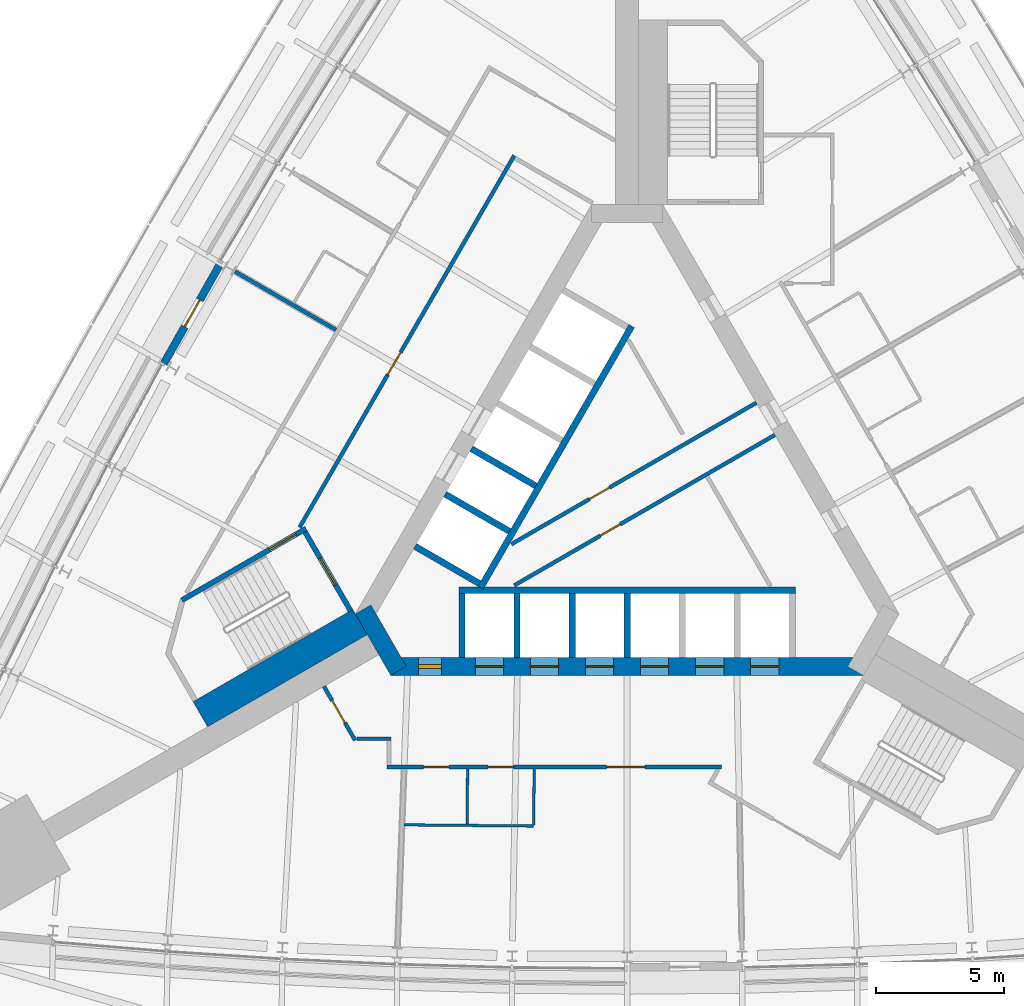
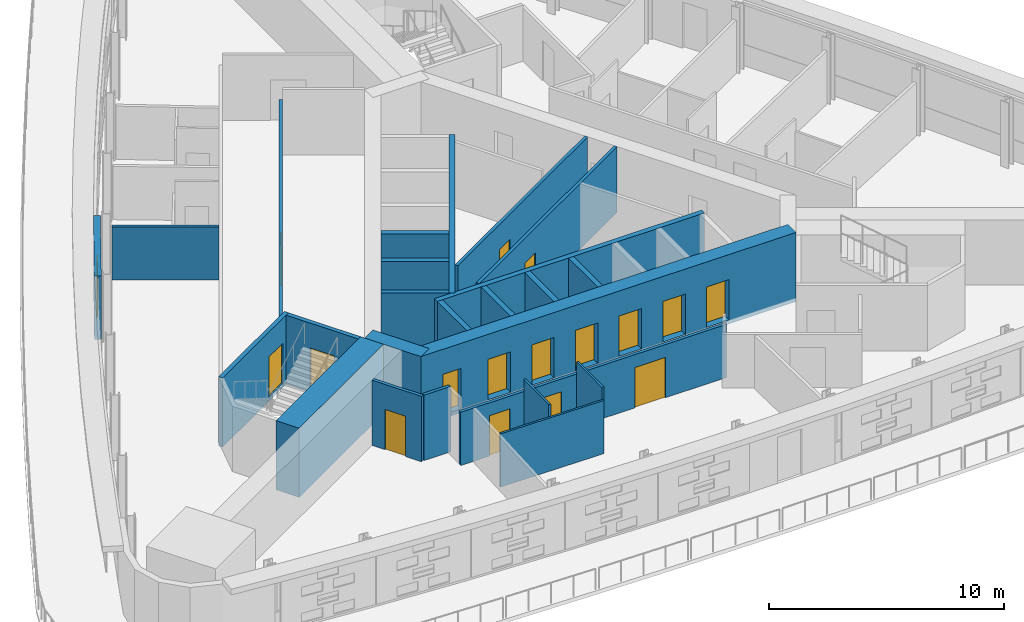
# One storey, part 7 of 14: 25 walls, 17 doors, 17 openings.
"""IFC4 building model written with IfcOpenShell, lengths in metres."""

from ifc_helpers import new_model, si_unit, direction, frame, frame_2d, origin, place, context, subcontext, project, spatial, rectangle, extrude, material, layer, layer_set, type_object, element, fill, save


model = new_model("IFC4")

# Units and contexts
model_context = context("Model", 3, precision=1e-05, world=origin(), true_north=direction((0.0, 1.0)))
body_context = subcontext(model_context, "Body", "Model", "MODEL_VIEW")
ifc_project = project(units=[si_unit("LENGTHUNIT", "METRE"), si_unit("AREAUNIT", "SQUARE_METRE"), si_unit("VOLUMEUNIT", "CUBIC_METRE"), si_unit("PLANEANGLEUNIT", "RADIAN"), si_unit("MASSUNIT", "GRAM", prefix="KILO")], contexts=[model_context])

# Site, building, storey
site_placement = place(None, origin())
site = spatial("IfcSite", under=ifc_project, at=site_placement, CompositionType="ELEMENT")
building_placement = place(site_placement, origin())
building = spatial("IfcBuilding", under=site, at=building_placement, Name="Noor Cloister Tower", CompositionType="ELEMENT")
storey_placement = place(building_placement, frame((0.0, 0.0, 24.0)))
storey = spatial("IfcBuildingStorey", under=building, at=storey_placement, Name="L05", CompositionType="ELEMENT", Elevation=24.0)

# Wall, opening, door
ifc_material_1 = material(Name="Concrete C30/37", Category="concrete")
ifc_layer_1 = layer(ifc_material_1, 0.14990234375)
ifc_layer_set_1 = layer_set([ifc_layer_1], Name="Core partition 150 C30/37")
wall_type_1 = type_object("IfcWallType", Name="Core partition 150 C30/37", PredefinedType="PARTITIONING", material=ifc_layer_set_1)
wall_1_placement = place(storey_placement, frame((-4.522705078125, -1.80712890625, 0.0), z_axis=(0.0, 0.0, 1.0), x_axis=(0.866030300338, 0.499991518824, 0.0)))
wall_1 = element("IfcWall", 1, at=wall_1_placement, inside=storey, type_object=wall_type_1, Name="Core room partition L05 1", PredefinedType="PARTITIONING", context=body_context, shape_type="SweptSolid", body=[
    extrude(rectangle(XDim=11.048583984375, YDim=0.14990234375, at=frame_2d((5.5244140625, 0.0))), origin(), (0.0, 0.0, 1.0), 3.39990234375),
])
opening_1_placement = place(wall_1_placement, frame((3.525390625, 0.0, 0.0)))
opening_1 = element("IfcOpeningElement", 2, at=opening_1_placement, cuts=wall_1, Name="Opening L05-906", PredefinedType="OPENING", context=body_context, shape_type="SweptSolid", body=[
    extrude(rectangle(XDim=0.89990234375, YDim=2.10009765625, at=frame_2d((0.449951171875, 1.050048828125))), frame((0.0, 0.0849609375, 0.0), z_axis=(0.0, -1.0, 0.0), x_axis=(1.0, 0.0, 0.0)), (0.0, 0.0, 1.0), 0.169921875),
])
ifc_material_2 = material(Name="Steel", Category="steel")
door_type_1 = type_object("IfcDoorType", Name="Core door 900 x 2100 FD60", OperationType="SINGLE_SWING_LEFT", PredefinedType="DOOR", material=ifc_material_2)
door_1_placement = place(opening_1_placement, origin())
door_1 = element("IfcDoor", 3, at=door_1_placement, inside=storey, type_object=door_type_1, Name="Core door 6 L05", OperationType="SINGLE_SWING_RIGHT", OverallHeight=2.10009765625, OverallWidth=0.89990234375, PredefinedType="DOOR", context=body_context, shape_type="SweptSolid", body=[
    extrude(rectangle(XDim=0.89990234375, YDim=2.10009765625, at=frame_2d((0.449951171875, 1.050048828125))), frame((0.0, 0.02490234375, 0.0), z_axis=(0.0, -1.0, 0.0), x_axis=(1.0, 0.0, 0.0)), (0.0, 0.0, 1.0), 0.050048828125),
])
fill(opening_1, door_1)

wall_2_placement = place(storey_placement, frame((-4.404296875, -3.4130859375, 0.0), z_axis=(0.0, 0.0, 1.0), x_axis=(0.866022252853, 0.500005457533, 0.0)))
wall_2 = element("IfcWall", 4, at=wall_2_placement, inside=storey, type_object=wall_type_1, Name="Core room partition L05 2", PredefinedType="PARTITIONING", context=body_context, shape_type="SweptSolid", body=[
    extrude(rectangle(XDim=11.748779296875, YDim=0.14990234375, at=frame_2d((5.87451171875, 0.0))), origin(), (0.0, 0.0, 1.0), 3.39990234375),
])
opening_2_placement = place(wall_2_placement, frame((3.87548828125, 0.0, 0.0)))
opening_2 = element("IfcOpeningElement", 5, at=opening_2_placement, cuts=wall_2, Name="Opening L05-904", PredefinedType="OPENING", context=body_context, shape_type="SweptSolid", body=[
    extrude(rectangle(XDim=0.89990234375, YDim=2.10009765625, at=frame_2d((0.449951171875, 1.050048828125))), frame((0.0, 0.0849609375, 0.0), z_axis=(0.0, -1.0, 0.0), x_axis=(1.0, 0.0, 0.0)), (0.0, 0.0, 1.0), 0.169921875),
])
ifc_material_3 = material(Name="Steel", Category="steel")
door_type_2 = type_object("IfcDoorType", Name="Core door 900 x 2100 FD120", OperationType="SINGLE_SWING_LEFT", PredefinedType="DOOR", material=ifc_material_3)
door_2_placement = place(opening_2_placement, origin())
door_2 = element("IfcDoor", 6, at=door_2_placement, inside=storey, type_object=door_type_2, Name="Core door 4 L05", OperationType="SINGLE_SWING_RIGHT", OverallHeight=2.10009765625, OverallWidth=0.89990234375, PredefinedType="DOOR", context=body_context, shape_type="SweptSolid", body=[
    extrude(rectangle(XDim=0.89990234375, YDim=2.10009765625, at=frame_2d((0.449951171875, 1.050048828125))), frame((0.0, 0.02490234375, 0.0), z_axis=(0.0, -1.0, 0.0), x_axis=(1.0, 0.0, 0.0)), (0.0, 0.0, 1.0), 0.050048828125),
])
fill(opening_2, door_2)

# Wall, openings, doors
ifc_material_4 = material(Name="Concrete C80/95", Category="concrete")
ifc_layer_2 = layer(ifc_material_4, 0.699951171875)
ifc_layer_set_2 = layer_set([ifc_layer_2], Name="Core wall 700 C80/95")
wall_type_2 = type_object("IfcWallType", Name="Core wall 700 C80/95", PredefinedType="SHEAR", material=ifc_layer_set_2)
wall_3_placement = place(storey_placement, frame((-9.228759765625, -6.578125, -0.199951171875), z_axis=(0.0, 0.0, 1.0), x_axis=(1.0, 0.0, 0.0)))
wall_3 = element("IfcWall", 7, at=wall_3_placement, inside=storey, type_object=wall_type_2, Name="Core wall L05 1", PredefinedType="SHEAR", context=body_context, shape_type="SweptSolid", body=[
    extrude(rectangle(XDim=18.45751953125, YDim=0.699951171875, at=frame_2d((9.228759765625, 0.0))), origin(), (0.0, 0.0, 1.0), 3.599853515625),
])
opening_3_placement = place(wall_3_placement, frame((3.3037109375, 0.0, 0.199951171875)))
opening_3 = element("IfcOpeningElement", 8, at=opening_3_placement, cuts=wall_3, Name="Opening L05-LR1", PredefinedType="OPENING", context=body_context, shape_type="SweptSolid", body=[
    extrude(rectangle(XDim=1.10009765625, YDim=2.10009765625, at=frame_2d((0.550048828125, 1.050048828125))), frame((0.0, 0.35986328125, 0.0), z_axis=(0.0, -1.0, 0.0), x_axis=(1.0, 0.0, 0.0)), (0.0, 0.0, 1.0), 0.719970703125),
])
opening_4_placement = place(wall_3_placement, frame((5.45361328125, 0.0, 0.199951171875)))
opening_4 = element("IfcOpeningElement", 9, at=opening_4_placement, cuts=wall_3, Name="Opening L05-LR2", PredefinedType="OPENING", context=body_context, shape_type="SweptSolid", body=[
    extrude(rectangle(XDim=1.10009765625, YDim=2.10009765625, at=frame_2d((0.550048828125, 1.050048828125))), frame((0.0, 0.35986328125, 0.0), z_axis=(0.0, -1.0, 0.0), x_axis=(1.0, 0.0, 0.0)), (0.0, 0.0, 1.0), 0.719970703125),
])
opening_5_placement = place(wall_3_placement, frame((7.603759765625, 0.0, 0.199951171875)))
opening_5 = element("IfcOpeningElement", 10, at=opening_5_placement, cuts=wall_3, Name="Opening L05-LR3", PredefinedType="OPENING", context=body_context, shape_type="SweptSolid", body=[
    extrude(rectangle(XDim=1.10009765625, YDim=2.10009765625, at=frame_2d((0.550048828125, 1.050048828125))), frame((0.0, 0.35986328125, 0.0), z_axis=(0.0, -1.0, 0.0), x_axis=(1.0, 0.0, 0.0)), (0.0, 0.0, 1.0), 0.719970703125),
])
opening_6_placement = place(wall_3_placement, frame((9.753662109375, 0.0, 0.199951171875)))
opening_6 = element("IfcOpeningElement", 11, at=opening_6_placement, cuts=wall_3, Name="Opening L05-LR4", PredefinedType="OPENING", context=body_context, shape_type="SweptSolid", body=[
    extrude(rectangle(XDim=1.10009765625, YDim=2.10009765625, at=frame_2d((0.550048828125, 1.050048828125))), frame((0.0, 0.35986328125, 0.0), z_axis=(0.0, -1.0, 0.0), x_axis=(1.0, 0.0, 0.0)), (0.0, 0.0, 1.0), 0.719970703125),
])
opening_7_placement = place(wall_3_placement, frame((11.90380859375, 0.0, 0.199951171875)))
opening_7 = element("IfcOpeningElement", 12, at=opening_7_placement, cuts=wall_3, Name="Opening L05-LR5", PredefinedType="OPENING", context=body_context, shape_type="SweptSolid", body=[
    extrude(rectangle(XDim=1.10009765625, YDim=2.10009765625, at=frame_2d((0.550048828125, 1.050048828125))), frame((0.0, 0.35986328125, 0.0), z_axis=(0.0, -1.0, 0.0), x_axis=(1.0, 0.0, 0.0)), (0.0, 0.0, 1.0), 0.719970703125),
])
opening_8_placement = place(wall_3_placement, frame((14.0537109375, 0.0, 0.199951171875)))
opening_8 = element("IfcOpeningElement", 13, at=opening_8_placement, cuts=wall_3, Name="Opening L05-LR6", PredefinedType="OPENING", context=body_context, shape_type="SweptSolid", body=[
    extrude(rectangle(XDim=1.10009765625, YDim=2.10009765625, at=frame_2d((0.550048828125, 1.050048828125))), frame((0.0, 0.35986328125, 0.0), z_axis=(0.0, -1.0, 0.0), x_axis=(1.0, 0.0, 0.0)), (0.0, 0.0, 1.0), 0.719970703125),
])
opening_9_placement = place(wall_3_placement, frame((1.078857421875, 0.0, 0.199951171875)))
opening_9 = element("IfcOpeningElement", 14, at=opening_9_placement, cuts=wall_3, Name="Opening L05-905", PredefinedType="OPENING", context=body_context, shape_type="SweptSolid", body=[
    extrude(rectangle(XDim=0.89990234375, YDim=2.10009765625, at=frame_2d((0.449951171875, 1.050048828125))), frame((0.0, 0.35986328125, 0.0), z_axis=(0.0, -1.0, 0.0), x_axis=(1.0, 0.0, 0.0)), (0.0, 0.0, 1.0), 0.719970703125),
])
door_3_placement = place(opening_9_placement, origin())
door_3 = element("IfcDoor", 15, at=door_3_placement, inside=storey, type_object=door_type_2, Name="Core door 5 L05", OperationType="SINGLE_SWING_LEFT", OverallHeight=2.10009765625, OverallWidth=0.89990234375, PredefinedType="DOOR", context=body_context, shape_type="SweptSolid", body=[
    extrude(rectangle(XDim=0.89990234375, YDim=2.10009765625, at=frame_2d((0.449951171875, 1.050048828125))), frame((0.0, 0.074951171875, 0.0), z_axis=(0.0, -1.0, 0.0), x_axis=(1.0, 0.0, 0.0)), (0.0, 0.0, 1.0), 0.14990234375),
])
fill(opening_9, door_3)
ifc_material_5 = material(Name="Stainless steel", Category="steel")
door_type_3 = type_object("IfcDoorType", Name="Lift landing door 1100 x 2100", OperationType="DOUBLE_DOOR_SLIDING", PredefinedType="DOOR", material=ifc_material_5)
door_4_placement = place(opening_3_placement, origin())
door_4 = element("IfcDoor", 16, at=door_4_placement, inside=storey, type_object=door_type_3, Name="Landing door LR1 L05", OperationType="DOUBLE_DOOR_SLIDING", OverallHeight=2.10009765625, OverallWidth=1.10009765625, PredefinedType="DOOR", context=body_context, shape_type="SweptSolid", body=[
    extrude(rectangle(XDim=1.10009765625, YDim=2.10009765625, at=frame_2d((0.550048828125, 1.050048828125))), frame((0.0, 0.02490234375, 0.0), z_axis=(0.0, -1.0, 0.0), x_axis=(1.0, 0.0, 0.0)), (0.0, 0.0, 1.0), 0.050048828125),
])
fill(opening_3, door_4)
door_5_placement = place(opening_4_placement, origin())
door_5 = element("IfcDoor", 17, at=door_5_placement, inside=storey, type_object=door_type_3, Name="Landing door LR2 L05", OperationType="DOUBLE_DOOR_SLIDING", OverallHeight=2.10009765625, OverallWidth=1.10009765625, PredefinedType="DOOR", context=body_context, shape_type="SweptSolid", body=[
    extrude(rectangle(XDim=1.10009765625, YDim=2.10009765625, at=frame_2d((0.550048828125, 1.050048828125))), frame((0.0, 0.02490234375, 0.0), z_axis=(0.0, -1.0, 0.0), x_axis=(1.0, 0.0, 0.0)), (0.0, 0.0, 1.0), 0.050048828125),
])
fill(opening_4, door_5)
door_6_placement = place(opening_5_placement, origin())
door_6 = element("IfcDoor", 18, at=door_6_placement, inside=storey, type_object=door_type_3, Name="Landing door LR3 L05", OperationType="DOUBLE_DOOR_SLIDING", OverallHeight=2.10009765625, OverallWidth=1.10009765625, PredefinedType="DOOR", context=body_context, shape_type="SweptSolid", body=[
    extrude(rectangle(XDim=1.10009765625, YDim=2.10009765625, at=frame_2d((0.550048828125, 1.050048828125))), frame((0.0, 0.02490234375, 0.0), z_axis=(0.0, -1.0, 0.0), x_axis=(1.0, 0.0, 0.0)), (0.0, 0.0, 1.0), 0.050048828125),
])
fill(opening_5, door_6)
door_7_placement = place(opening_6_placement, origin())
door_7 = element("IfcDoor", 19, at=door_7_placement, inside=storey, type_object=door_type_3, Name="Landing door LR4 L05", OperationType="DOUBLE_DOOR_SLIDING", OverallHeight=2.10009765625, OverallWidth=1.10009765625, PredefinedType="DOOR", context=body_context, shape_type="SweptSolid", body=[
    extrude(rectangle(XDim=1.10009765625, YDim=2.10009765625, at=frame_2d((0.550048828125, 1.050048828125))), frame((0.0, 0.02490234375, 0.0), z_axis=(0.0, -1.0, 0.0), x_axis=(1.0, 0.0, 0.0)), (0.0, 0.0, 1.0), 0.050048828125),
])
fill(opening_6, door_7)
door_8_placement = place(opening_7_placement, origin())
door_8 = element("IfcDoor", 20, at=door_8_placement, inside=storey, type_object=door_type_3, Name="Landing door LR5 L05", OperationType="DOUBLE_DOOR_SLIDING", OverallHeight=2.10009765625, OverallWidth=1.10009765625, PredefinedType="DOOR", context=body_context, shape_type="SweptSolid", body=[
    extrude(rectangle(XDim=1.10009765625, YDim=2.10009765625, at=frame_2d((0.550048828125, 1.050048828125))), frame((0.0, 0.02490234375, 0.0), z_axis=(0.0, -1.0, 0.0), x_axis=(1.0, 0.0, 0.0)), (0.0, 0.0, 1.0), 0.050048828125),
])
fill(opening_7, door_8)
door_9_placement = place(opening_8_placement, origin())
door_9 = element("IfcDoor", 21, at=door_9_placement, inside=storey, type_object=door_type_3, Name="Landing door LR6 L05", OperationType="DOUBLE_DOOR_SLIDING", OverallHeight=2.10009765625, OverallWidth=1.10009765625, PredefinedType="DOOR", context=body_context, shape_type="SweptSolid", body=[
    extrude(rectangle(XDim=1.10009765625, YDim=2.10009765625, at=frame_2d((0.550048828125, 1.050048828125))), frame((0.0, 0.02490234375, 0.0), z_axis=(0.0, -1.0, 0.0), x_axis=(1.0, 0.0, 0.0)), (0.0, 0.0, 1.0), 0.050048828125),
])
fill(opening_8, door_9)

# Wall
wall_4_placement = place(storey_placement, frame((-10.311279296875, -4.353271484375, -0.199951171875), z_axis=(0.0, 0.0, 1.0), x_axis=(0.500042739161, -0.866000726912, 0.0)))
element("IfcWall", 22, at=wall_4_placement, inside=storey, type_object=wall_type_2, Name="Core wall L05 6", PredefinedType="SHEAR", context=body_context, shape_type="SweptSolid", body=[
    extrude(rectangle(XDim=2.771240234375, YDim=0.699951171875, at=frame_2d((1.3857421875, 0.0))), origin(), (0.0, 0.0, 1.0), 3.599853515625),
])

# Wall, opening, door
ifc_material_6 = material(Name="Fire-rated gypsum board partition on steel studs, 150 mm", Category="steel")
ifc_layer_3 = layer(ifc_material_6, 0.14990234375)
ifc_layer_set_3 = layer_set([ifc_layer_3], Name="Fire lobby wall 150")
wall_type_3 = type_object("IfcWallType", Name="Fire lobby wall 150", PredefinedType="PARTITIONING", material=ifc_layer_set_3)
wall_5_placement = place(storey_placement, frame((-4.40673828125, 13.373779296875, 0.0), z_axis=(0.0, 0.0, 1.0), x_axis=(-0.499997181693, -0.866027030928, 0.0)))
wall_5 = element("IfcWall", 23, at=wall_5_placement, inside=storey, type_object=wall_type_3, Name="Fire lobby wall 150 L05 002", PredefinedType="PARTITIONING", context=body_context, shape_type="SweptSolid", body=[
    extrude(rectangle(XDim=16.76953125, YDim=0.14990234375, at=frame_2d((8.384765625, 0.0))), origin(), (0.0, 0.0, 1.0), 2.76806640625),
])
opening_10_placement = place(wall_5_placement, frame((8.878662109375, 0.0, 0.0)))
opening_10 = element("IfcOpeningElement", 24, at=opening_10_placement, cuts=wall_5, Name="Opening L05-004", PredefinedType="OPENING", context=body_context, shape_type="SweptSolid", body=[
    extrude(rectangle(XDim=1.0, YDim=2.10009765625, at=frame_2d((0.5, 1.050048828125))), frame((0.0, 0.0849609375, 0.0), z_axis=(0.0, -1.0, 0.0), x_axis=(1.0, 0.0, 0.0)), (0.0, 0.0, 1.0), 0.169921875),
])
ifc_material_7 = material(Name="Timber door leaf with steel frame", Category="steel")
door_type_4 = type_object("IfcDoorType", Name="Fire lobby door 1000", OperationType="NOTDEFINED", PredefinedType="DOOR", material=ifc_material_7)
door_10_placement = place(opening_10_placement, origin())
door_10 = element("IfcDoor", 25, at=door_10_placement, inside=storey, type_object=door_type_4, Name="Fire lobby door 1000 L05-004", OperationType="SINGLE_SWING_RIGHT", OverallHeight=2.10009765625, OverallWidth=1.0, PredefinedType="DOOR", context=body_context, shape_type="SweptSolid", body=[
    extrude(rectangle(XDim=1.0, YDim=2.10009765625, at=frame_2d((0.5, 1.050048828125))), frame((0.0, 0.02490234375, 0.0), z_axis=(0.0, -1.0, 0.0), x_axis=(1.0, 0.0, 0.0)), (0.0, 0.0, 1.0), 0.050048828125),
])
fill(opening_10, door_10)

# Wall, openings, doors
ifc_material_8 = material(Name="Gypsum board partition on steel studs, 150 mm", Category="steel")
ifc_layer_4 = layer(ifc_material_8, 0.14990234375)
ifc_layer_set_4 = layer_set([ifc_layer_4], Name="Flat wall 150")
wall_type_4 = type_object("IfcWallType", Name="Flat wall 150", PredefinedType="PARTITIONING", material=ifc_layer_set_4)
wall_6_placement = place(storey_placement, frame((3.68896484375, -10.503173828125, 0.0), z_axis=(0.0, 0.0, 1.0), x_axis=(-1.0, 0.0, 0.0)))
wall_6 = element("IfcWall", 26, at=wall_6_placement, inside=storey, type_object=wall_type_4, Name="Flat wall 150 L05 004", PredefinedType="PARTITIONING", context=body_context, shape_type="SweptSolid", body=[
    extrude(rectangle(XDim=13.067626953125, YDim=0.14990234375, at=frame_2d((6.53369140625, 0.0))), origin(), (0.0, 0.0, 1.0), 2.76806640625),
])
opening_11_placement = place(wall_6_placement, frame((10.64599609375, 0.0, 0.0)))
opening_11 = element("IfcOpeningElement", 27, at=opening_11_placement, cuts=wall_6, Name="Opening L05-007", PredefinedType="OPENING", context=body_context, shape_type="SweptSolid", body=[
    extrude(rectangle(XDim=1.0, YDim=2.10009765625, at=frame_2d((0.5, 1.050048828125))), frame((0.0, 0.0849609375, 0.0), z_axis=(0.0, -1.0, 0.0), x_axis=(1.0, 0.0, 0.0)), (0.0, 0.0, 1.0), 0.169921875),
])
opening_12_placement = place(wall_6_placement, frame((8.11767578125, 0.0, 0.0)))
opening_12 = element("IfcOpeningElement", 28, at=opening_12_placement, cuts=wall_6, Name="Opening L05-008", PredefinedType="OPENING", context=body_context, shape_type="SweptSolid", body=[
    extrude(rectangle(XDim=1.0, YDim=2.10009765625, at=frame_2d((0.5, 1.050048828125))), frame((0.0, 0.0849609375, 0.0), z_axis=(0.0, -1.0, 0.0), x_axis=(1.0, 0.0, 0.0)), (0.0, 0.0, 1.0), 0.169921875),
])
opening_13_placement = place(wall_6_placement, frame((2.986083984375, 0.0, 0.0)))
opening_13 = element("IfcOpeningElement", 29, at=opening_13_placement, cuts=wall_6, Name="Opening L05-009", PredefinedType="OPENING", context=body_context, shape_type="SweptSolid", body=[
    extrude(rectangle(XDim=1.5, YDim=2.10009765625, at=frame_2d((0.75, 1.050048828125))), frame((0.0, 0.0849609375, 0.0), z_axis=(0.0, -1.0, 0.0), x_axis=(1.0, 0.0, 0.0)), (0.0, 0.0, 1.0), 0.169921875),
])
ifc_material_9 = material(Name="Timber door leaf with steel frame", Category="steel")
door_type_5 = type_object("IfcDoorType", Name="Accessible WC door 1000", OperationType="NOTDEFINED", PredefinedType="DOOR", material=ifc_material_9)
door_11_placement = place(opening_11_placement, origin())
door_11 = element("IfcDoor", 30, at=door_11_placement, inside=storey, type_object=door_type_5, Name="Accessible WC door 1000 L05-007", OperationType="SINGLE_SWING_RIGHT", OverallHeight=2.10009765625, OverallWidth=1.0, PredefinedType="DOOR", context=body_context, shape_type="SweptSolid", body=[
    extrude(rectangle(XDim=1.0, YDim=2.10009765625, at=frame_2d((0.5, 1.050048828125))), frame((0.0, 0.02490234375, 0.0), z_axis=(0.0, -1.0, 0.0), x_axis=(1.0, 0.0, 0.0)), (0.0, 0.0, 1.0), 0.050048828125),
])
fill(opening_11, door_11)
ifc_material_10 = material(Name="Timber door leaf with steel frame", Category="steel")
door_type_6 = type_object("IfcDoorType", Name="Double door 1500 FD60", OperationType="NOTDEFINED", PredefinedType="DOOR", material=ifc_material_10)
door_12_placement = place(opening_13_placement, origin())
door_12 = element("IfcDoor", 31, at=door_12_placement, inside=storey, type_object=door_type_6, Name="Double door 1500 L05-009", OperationType="DOUBLE_DOOR_SINGLE_SWING", OverallHeight=2.10009765625, OverallWidth=1.5, PredefinedType="DOOR", context=body_context, shape_type="SweptSolid", body=[
    extrude(rectangle(XDim=1.5, YDim=2.10009765625, at=frame_2d((0.75, 1.050048828125))), frame((0.0, 0.02490234375, 0.0), z_axis=(0.0, -1.0, 0.0), x_axis=(1.0, 0.0, 0.0)), (0.0, 0.0, 1.0), 0.050048828125),
])
fill(opening_13, door_12)
ifc_material_11 = material(Name="Timber door leaf with steel frame", Category="steel")
door_type_7 = type_object("IfcDoorType", Name="Interior door 1000 FD60", OperationType="NOTDEFINED", PredefinedType="DOOR", material=ifc_material_11)
door_13_placement = place(opening_12_placement, origin())
door_13 = element("IfcDoor", 32, at=door_13_placement, inside=storey, type_object=door_type_7, Name="Interior door 1000 L05-008", OperationType="SINGLE_SWING_RIGHT", OverallHeight=2.10009765625, OverallWidth=1.0, PredefinedType="DOOR", context=body_context, shape_type="SweptSolid", body=[
    extrude(rectangle(XDim=1.0, YDim=2.10009765625, at=frame_2d((0.5, 1.050048828125))), frame((0.0, 0.02490234375, 0.0), z_axis=(0.0, -1.0, 0.0), x_axis=(1.0, 0.0, 0.0)), (0.0, 0.0, 1.0), 0.050048828125),
])
fill(opening_12, door_13)

# Wall, opening, door
wall_7_placement = place(storey_placement, frame((-10.6201171875, -9.46826171875, 0.0), z_axis=(0.0, 0.0, 1.0), x_axis=(-0.500045838785, 0.865998937132, 0.0)))
wall_7 = element("IfcWall", 33, at=wall_7_placement, inside=storey, type_object=wall_type_4, Name="Flat wall 150 L05 011", PredefinedType="PARTITIONING", context=body_context, shape_type="SweptSolid", body=[
    extrude(rectangle(XDim=2.439697265625, YDim=0.14990234375, at=frame_2d((1.2197265625, 0.0))), origin(), (0.0, 0.0, 1.0), 3.39990234375),
])
opening_14_placement = place(wall_7_placement, frame((0.794921875, 0.0, 0.0)))
opening_14 = element("IfcOpeningElement", 34, at=opening_14_placement, cuts=wall_7, Name="Opening L05-013", PredefinedType="OPENING", context=body_context, shape_type="SweptSolid", body=[
    extrude(rectangle(XDim=1.0, YDim=2.10009765625, at=frame_2d((0.5, 1.050048828125))), frame((0.0, 0.0849609375, 0.0), z_axis=(0.0, -1.0, 0.0), x_axis=(1.0, 0.0, 0.0)), (0.0, 0.0, 1.0), 0.169921875),
])
door_14_placement = place(opening_14_placement, origin())
door_14 = element("IfcDoor", 35, at=door_14_placement, inside=storey, type_object=door_type_7, Name="Interior door 1000 L05-013", OperationType="SINGLE_SWING_RIGHT", OverallHeight=2.10009765625, OverallWidth=1.0, PredefinedType="DOOR", context=body_context, shape_type="SweptSolid", body=[
    extrude(rectangle(XDim=1.0, YDim=2.10009765625, at=frame_2d((0.5, 1.050048828125))), frame((0.0, 0.02490234375, 0.0), z_axis=(0.0, -1.0, 0.0), x_axis=(1.0, 0.0, 0.0)), (0.0, 0.0, 1.0), 0.050048828125),
])
fill(opening_14, door_14)

# Walls
wall_8_placement = place(storey_placement, frame((-10.55517578125, -9.4033203125, 0.0), z_axis=(0.0, 0.0, 1.0), x_axis=(1.0, 0.0, 0.0)))
element("IfcWall", 36, at=wall_8_placement, inside=storey, type_object=wall_type_4, Name="Flat wall 150 L05 014", PredefinedType="PARTITIONING", context=body_context, shape_type="SweptSolid", body=[
    extrude(rectangle(XDim=1.326416015625, YDim=0.14990234375, at=frame_2d((0.6630859375, 0.0))), origin(), (0.0, 0.0, 1.0), 3.39990234375),
])
wall_9_placement = place(storey_placement, frame((-15.31396484375, 8.841552734375, 0.0), z_axis=(0.0, 0.0, 1.0), x_axis=(0.866031166731, -0.499990018151, 0.0)))
element("IfcWall", 37, at=wall_9_placement, inside=storey, type_object=wall_type_4, Name="Flat wall 150 L05 023", PredefinedType="PARTITIONING", context=body_context, shape_type="SweptSolid", body=[
    extrude(rectangle(XDim=4.5546875, YDim=0.14990234375, at=frame_2d((2.27734375, 0.0))), origin(), (0.0, 0.0, 1.0), 2.76806640625),
])

# Wall, opening, door
ifc_material_12 = material(Name="Limestone", Category="masonry")
ifc_layer_5 = layer(ifc_material_12, 0.300048828125)
ifc_layer_set_5 = layer_set([ifc_layer_5], Name="Limestone portal wall 300")
wall_type_5 = type_object("IfcWallType", Name="Limestone portal wall 300", PredefinedType="NOTDEFINED", material=ifc_layer_set_5)
wall_10_placement = place(storey_placement, frame((-18.089111328125, 5.251708984375, 0.0), z_axis=(0.0, 0.0, 1.0), x_axis=(0.491969578613, 0.870612390056, 0.0)))
wall_10 = element("IfcWall", 38, at=wall_10_placement, inside=storey, type_object=wall_type_5, Name="Terrace door bay L05 NW", PredefinedType="NOTDEFINED", context=body_context, shape_type="SweptSolid", body=[
    extrude(rectangle(XDim=4.49609375, YDim=0.300048828125, at=frame_2d((2.248046875, 0.0))), origin(), (0.0, 0.0, 1.0), 3.300048828125),
])
opening_15_placement = place(wall_10_placement, frame((1.64794921875, 0.0, 0.0)))
opening_15 = element("IfcOpeningElement", 39, at=opening_15_placement, cuts=wall_10, Name="Opening L05-X03", PredefinedType="OPENING", context=body_context, shape_type="SweptSolid", body=[
    extrude(rectangle(XDim=1.199951171875, YDim=2.39990234375, at=frame_2d((0.60009765625, 1.199951171875))), frame((0.0, 0.16015625, 0.0), z_axis=(0.0, -1.0, 0.0), x_axis=(1.0, 0.0, 0.0)), (0.0, 0.0, 1.0), 0.320068359375),
])
ifc_material_13 = material(Name="Glass and aluminium", Category="aluminium")
door_type_8 = type_object("IfcDoorType", Name="Terrace door 1200 x 2400", OperationType="SINGLE_SWING_LEFT", PredefinedType="DOOR", material=ifc_material_13)
door_15_placement = place(opening_15_placement, origin())
door_15 = element("IfcDoor", 40, at=door_15_placement, inside=storey, type_object=door_type_8, Name="Terrace door L05 NW", OperationType="SINGLE_SWING_LEFT", OverallHeight=2.39990234375, OverallWidth=1.199951171875, PredefinedType="DOOR", context=body_context, shape_type="SweptSolid", body=[
    extrude(rectangle(XDim=1.199951171875, YDim=2.39990234375, at=frame_2d((0.60009765625, 1.199951171875))), frame((0.0, 0.02490234375, 0.0), z_axis=(0.0, -1.0, 0.0), x_axis=(1.0, 0.0, 0.0)), (0.0, 0.0, 1.0), 0.050048828125),
])
fill(opening_15, door_15)

# Walls
ifc_material_14 = material(Name="Gypsum board partition on steel studs, 100 mm", Category="steel")
ifc_layer_6 = layer(ifc_material_14, 0.10009765625)
ifc_layer_set_6 = layer_set([ifc_layer_6], Name="Partition 100")
wall_type_6 = type_object("IfcWallType", Name="Partition 100", PredefinedType="PARTITIONING", material=ifc_layer_set_6)
wall_11_placement = place(storey_placement, frame((-8.71533203125, -12.76513671875, 0.0), z_axis=(0.0, 0.0, 1.0), x_axis=(0.999957193633, -0.00925261596, 0.0)))
element("IfcWall", 41, at=wall_11_placement, inside=storey, type_object=wall_type_6, Name="Partition 100 L05 026", PredefinedType="PARTITIONING", context=body_context, shape_type="SweptSolid", body=[
    extrude(rectangle(XDim=5.066162109375, YDim=0.10009765625, at=frame_2d((2.533203125, 0.0))), origin(), (0.0, 0.0, 1.0), 2.76806640625),
])
wall_12_placement = place(storey_placement, frame((-3.64892578125, -12.76220703125, 0.0), z_axis=(0.0, 0.0, 1.0), x_axis=(0.009279564663, 0.999956943913, 0.0)))
element("IfcWall", 42, at=wall_12_placement, inside=storey, type_object=wall_type_6, Name="Partition 100 L05 035", PredefinedType="PARTITIONING", context=body_context, shape_type="SweptSolid", body=[
    extrude(rectangle(XDim=2.18359375, YDim=0.10009765625, at=frame_2d((1.091796875, 0.0))), origin(), (0.0, 0.0, 1.0), 3.39990234375),
])
wall_13_placement = place(storey_placement, frame((-6.248779296875, -12.738037109375, 0.0), z_axis=(0.0, 0.0, 1.0), x_axis=(0.009270376076, 0.99995702914, 0.0)))
element("IfcWall", 43, at=wall_13_placement, inside=storey, type_object=wall_type_6, Name="Partition 100 L05 036", PredefinedType="PARTITIONING", context=body_context, shape_type="SweptSolid", body=[
    extrude(rectangle(XDim=2.159423828125, YDim=0.10009765625, at=frame_2d((1.07958984375, 0.0))), origin(), (0.0, 0.0, 1.0), 3.39990234375),
])
ifc_material_15 = material(Name="Concrete C80/95", Category="concrete")
ifc_layer_7 = layer(ifc_material_15, 0.25)
ifc_layer_set_7 = layer_set([ifc_layer_7], Name="Shaft wall 250 C80/95")
wall_type_7 = type_object("IfcWallType", Name="Shaft wall 250 C80/95", PredefinedType="PARTITIONING", material=ifc_layer_set_7)
for number, where, z_axis, x_axis, name in (
    (44, (-6.449951171875, -6.228271484375, -0.199951171875), (0.0, 0.0, 1.0), (0.0, 1.0, 0.0), "Lift shaft wall L05 S 1"),
    (45, (-4.300048828125, -6.228271484375, -0.199951171875), (0.0, 0.0, 1.0), (0.0, 1.0, 0.0), "Lift shaft wall L05 S 2"),
    (46, (-2.14990234375, -6.228271484375, -0.199951171875), (0.0, 0.0, 1.0), (0.0, 1.0, 0.0), "Lift shaft wall L05 S 3"),
    (47, (0.0, -6.228271484375, -0.199951171875), (0.0, 0.0, 1.0), (0.0, 1.0, 0.0), "Lift shaft wall L05 S 4"),
):
    element("IfcWall", number, at=place(storey_placement, frame(where, z_axis=z_axis, x_axis=x_axis)), inside=storey, type_object=wall_type_7, Name=name, PredefinedType="PARTITIONING", context=body_context, shape_type="SweptSolid", body=[
        extrude(rectangle(XDim=2.5, YDim=0.25, at=frame_2d((1.25, 0.0))), origin(), (0.0, 0.0, 1.0), 3.599853515625),
    ])
wall_14_placement = place(storey_placement, frame((-6.574951171875, -3.603271484375, 0.0), z_axis=(0.0, 0.0, 1.0), x_axis=(1.0, 0.0, 0.0)))
element("IfcWall", 48, at=wall_14_placement, inside=storey, type_object=wall_type_7, Name="Lift shaft back wall L05 S", PredefinedType="PARTITIONING", context=body_context, shape_type="SweptSolid", body=[
    extrude(rectangle(XDim=13.14990234375, YDim=0.25, at=frame_2d((6.574951171875, 0.0))), origin(), (0.0, 0.0, 1.0), 3.39990234375),
])
for number, where, z_axis, x_axis, name in (
    (49, (-6.081298828125, 1.92333984375, -0.199951171875), (0.0, 0.0, 1.0), (0.866032775405, -0.499987231761, 0.0), "Lift shaft wall L05 NW 4"),
    (50, (-7.106201171875, 0.14794921875, -0.199951171875), (0.0, 0.0, 1.0), (0.866032775405, -0.499987231761, 0.0), "Lift shaft wall L05 NW 5"),
    (51, (-8.28125, -1.88720703125, -0.199951171875), (0.0, 0.0, 1.0), (0.866032775405, -0.499987231761, 0.0), "Lift shaft wall L05 NW 6"),
):
    element("IfcWall", number, at=place(storey_placement, frame(where, z_axis=z_axis, x_axis=x_axis)), inside=storey, type_object=wall_type_7, Name=name, PredefinedType="PARTITIONING", context=body_context, shape_type="SweptSolid", body=[
        extrude(rectangle(XDim=2.89990234375, YDim=0.25, at=frame_2d((1.449951171875, 0.0))), origin(), (0.0, 0.0, 1.0), 3.599853515625),
    ])
wall_15_placement = place(storey_placement, frame((0.176025390625, 6.711181640625, 0.0), z_axis=(0.0, 0.0, 1.0), x_axis=(-0.500004227369, -0.866022963098, 0.0)))
element("IfcWall", 52, at=wall_15_placement, inside=storey, type_object=wall_type_7, Name="Lift shaft back wall L05 NW", PredefinedType="PARTITIONING", context=body_context, shape_type="SweptSolid", body=[
    extrude(rectangle(XDim=11.80029296875, YDim=0.25, at=frame_2d((5.900146484375, 0.0))), origin(), (0.0, 0.0, 1.0), 3.39990234375),
])
ifc_material_16 = material(Name="Concrete C80/95", Category="concrete")
ifc_layer_8 = layer(ifc_material_16, 1.135986328125)
ifc_layer_set_8 = layer_set([ifc_layer_8], Name="Stair enclosure wall 1136 C80/95")
wall_type_8 = type_object("IfcWallType", Name="Stair enclosure wall 1136 C80/95", PredefinedType="SHEAR", material=ifc_layer_set_8)
wall_16_placement = place(storey_placement, frame((-10.430419921875, -4.8466796875, -0.199951171875), z_axis=(0.0, 0.0, 1.0), x_axis=(-0.866018442252, -0.500012057535, 0.0)))
element("IfcWall", 53, at=wall_16_placement, inside=storey, type_object=wall_type_8, Name="Stair enclosure wall ST2 L05 riser side", PredefinedType="SHEAR", context=body_context, shape_type="SweptSolid", body=[
    extrude(rectangle(XDim=7.199951171875, YDim=1.1357421875, at=frame_2d((3.60009765625, 0.0))), origin(), (0.0, 0.0, 1.0), 3.599853515625),
])

# Wall, opening, door
ifc_material_17 = material(Name="Concrete C80/95", Category="concrete")
ifc_layer_9 = layer(ifc_material_17, 0.199951171875)
ifc_layer_set_9 = layer_set([ifc_layer_9], Name="Stair enclosure wall 200 C80/95")
wall_type_9 = type_object("IfcWallType", Name="Stair enclosure wall 200 C80/95", PredefinedType="SHEAR", material=ifc_layer_set_9)
wall_17_placement = place(storey_placement, frame((-12.575927734375, -1.33056640625, -0.199951171875), z_axis=(0.0, 0.0, 1.0), x_axis=(0.499970499736, -0.8660424351, 0.0)))
wall_17 = element("IfcWall", 54, at=wall_17_placement, inside=storey, type_object=wall_type_9, Name="Stair enclosure wall ST2 L05 near end", PredefinedType="SHEAR", context=body_context, shape_type="SweptSolid", body=[
    extrude(rectangle(XDim=3.550048828125, YDim=0.199951171875, at=frame_2d((1.77490234375, 0.0))), origin(), (0.0, 0.0, 1.0), 3.599853515625),
])
opening_16_placement = place(wall_17_placement, frame((1.175048828125, 0.0, 0.199951171875)))
opening_16 = element("IfcOpeningElement", 55, at=opening_16_placement, cuts=wall_17, Name="Opening L05-ST2L", PredefinedType="OPENING", context=body_context, shape_type="SweptSolid", body=[
    extrude(rectangle(XDim=1.199951171875, YDim=2.10009765625, at=frame_2d((0.60009765625, 1.050048828125))), frame((0.0, 0.10986328125, 0.0), z_axis=(0.0, -1.0, 0.0), x_axis=(1.0, 0.0, 0.0)), (0.0, 0.0, 1.0), 0.219970703125),
])
ifc_material_18 = material(Name="Steel", Category="steel")
door_type_9 = type_object("IfcDoorType", Name="Stair door 1200 x 2100 FD120", OperationType="SINGLE_SWING_LEFT", PredefinedType="DOOR", material=ifc_material_18)
door_16_placement = place(opening_16_placement, origin())
door_16 = element("IfcDoor", 56, at=door_16_placement, inside=storey, type_object=door_type_9, Name="Stair door ST2 L05", OperationType="SINGLE_SWING_RIGHT", OverallHeight=2.10009765625, OverallWidth=1.199951171875, PredefinedType="DOOR", context=body_context, shape_type="SweptSolid", body=[
    extrude(rectangle(XDim=1.199951171875, YDim=2.10009765625, at=frame_2d((0.60009765625, 1.050048828125))), frame((0.0, 0.02490234375, 0.0), z_axis=(0.0, -1.0, 0.0), x_axis=(1.0, 0.0, 0.0)), (0.0, 0.0, 1.0), 0.050048828125),
])
fill(opening_16, door_16)

wall_18_placement = place(storey_placement, frame((-12.539306640625, -1.194091796875, -0.199951171875), z_axis=(0.0, 0.0, 1.0), x_axis=(-0.866045472092, -0.499965239061, 0.0)))
wall_18 = element("IfcWall", 57, at=wall_18_placement, inside=storey, type_object=wall_type_9, Name="Stair enclosure wall ST2 L05 outer side", PredefinedType="SHEAR", context=body_context, shape_type="SweptSolid", body=[
    extrude(rectangle(XDim=5.60009765625, YDim=0.199951171875, at=frame_2d((2.800048828125, 0.0))), origin(), (0.0, 0.0, 1.0), 3.599853515625),
])
opening_17_placement = place(wall_18_placement, frame((0.449951171875, 0.0, 0.199951171875)))
opening_17 = element("IfcOpeningElement", 58, at=opening_17_placement, cuts=wall_18, Name="Opening L05-ST2C", PredefinedType="OPENING", context=body_context, shape_type="SweptSolid", body=[
    extrude(rectangle(XDim=1.199951171875, YDim=2.10009765625, at=frame_2d((0.60009765625, 1.050048828125))), frame((0.0, 0.10986328125, 0.0), z_axis=(0.0, -1.0, 0.0), x_axis=(1.0, 0.0, 0.0)), (0.0, 0.0, 1.0), 0.219970703125),
])
door_17_placement = place(opening_17_placement, origin())
door_17 = element("IfcDoor", 59, at=door_17_placement, inside=storey, type_object=door_type_9, Name="Stair door ST2 L05", OperationType="SINGLE_SWING_LEFT", OverallHeight=2.10009765625, OverallWidth=1.199951171875, PredefinedType="DOOR", context=body_context, shape_type="SweptSolid", body=[
    extrude(rectangle(XDim=1.199951171875, YDim=2.10009765625, at=frame_2d((0.60009765625, 1.050048828125))), frame((0.0, 0.02490234375, 0.0), z_axis=(0.0, -1.0, 0.0), x_axis=(1.0, 0.0, 0.0)), (0.0, 0.0, 1.0), 0.050048828125),
])
fill(opening_17, door_17)

save(model, "model.ifc")
